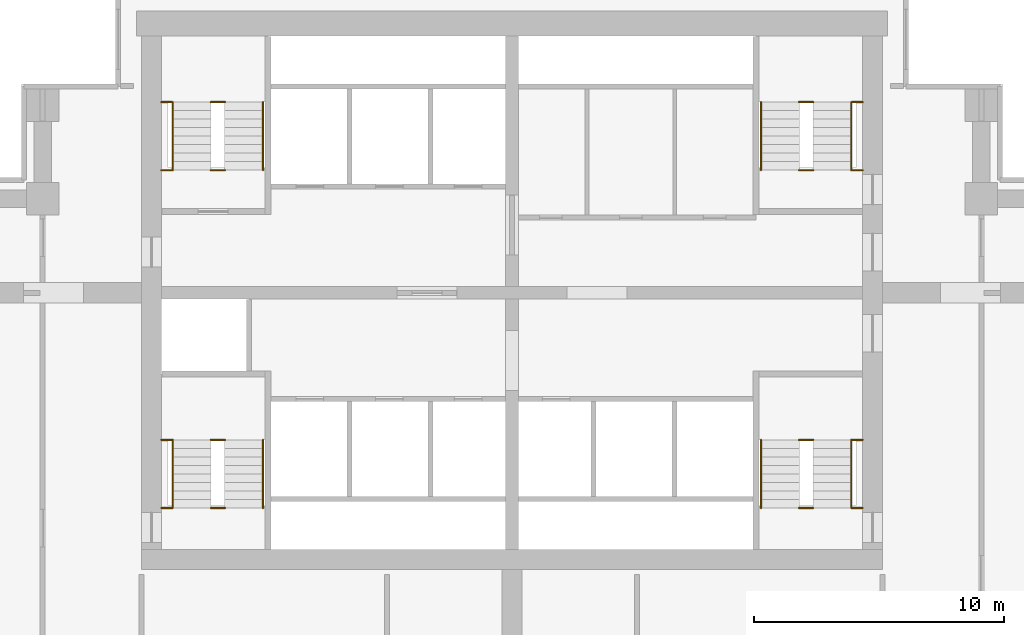
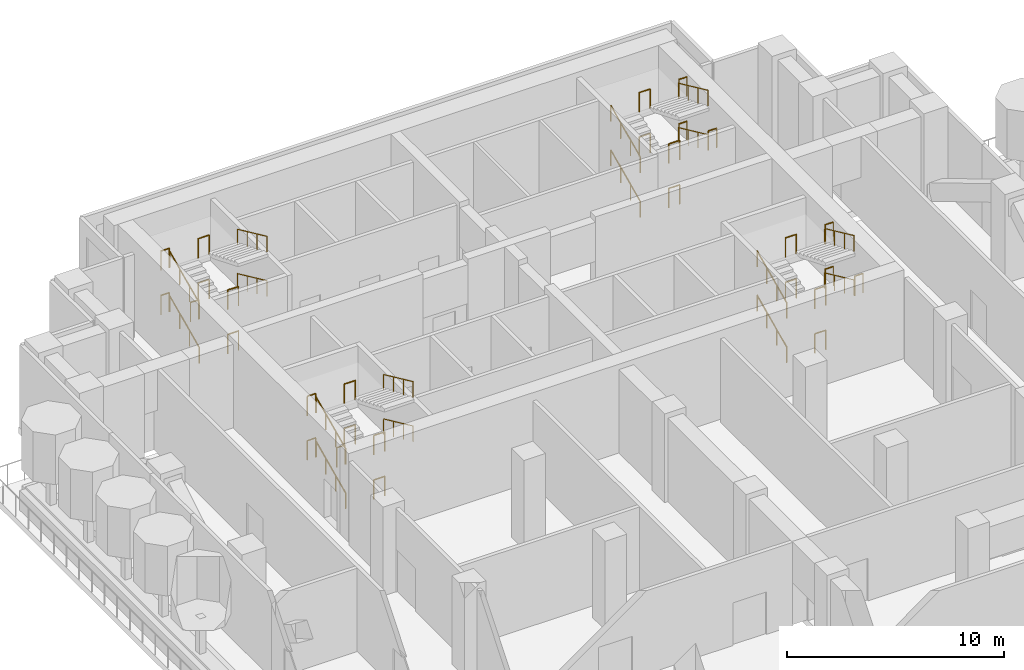
# One storey, part 8 of 9: 44 railings.
"""IFC4 building model written with IfcOpenShell, lengths in metres."""

from ifc_helpers import new_model, si_unit, direction, frame, origin, origin_2d, place, context, subcontext, project, spatial, circle, extrude, material, type_object, element, save


model = new_model("IFC4")

# Units and contexts
model_context = context("Model", 3, precision=1e-05, world=origin(), true_north=direction((0.0, 1.0)))
body_context = subcontext(model_context, "Body", "Model", "MODEL_VIEW")
ifc_project = project(units=[si_unit("LENGTHUNIT", "METRE"), si_unit("AREAUNIT", "SQUARE_METRE"), si_unit("VOLUMEUNIT", "CUBIC_METRE"), si_unit("PLANEANGLEUNIT", "RADIAN"), si_unit("MASSUNIT", "GRAM", prefix="KILO")], contexts=[model_context])

# Site, building, storey
site_placement = place(None, origin())
site = spatial("IfcSite", under=ifc_project, at=site_placement, CompositionType="ELEMENT")
building_placement = place(site_placement, origin())
building = spatial("IfcBuilding", under=site, at=building_placement, Name="Pilkhan Gate Tower", CompositionType="ELEMENT")
storey_placement = place(building_placement, frame((0.0, 0.0, 102.199951171875)))
storey = spatial("IfcBuildingStorey", under=building, at=storey_placement, Name="L25", CompositionType="ELEMENT", Elevation=102.199951171875)

# Railings
ifc_material_1 = material(Name="Black powder-coated steel tube", Category="steel")
railing_type_1 = type_object("IfcRailingType", Name="Stair handrail HR1", PredefinedType="HANDRAIL", material=ifc_material_1)
railing_1_placement = place(storey_placement, frame((84.949951171875, 73.89990234375, 0.0)))
element("IfcRailing", 1, at=railing_1_placement, inside=storey, type_object=railing_type_1, Name="Stair ST1 handrail L25", PredefinedType="HANDRAIL", context=body_context, shape_type="SweptSolid", body=[
    extrude(circle(Radius=0.02392578125, at=origin_2d()), frame((0.0, 0.0, 0.8759765625), z_axis=(0.0, 0.908655102025, 0.417547488994), x_axis=(-1.0, 0.0, 0.0)), (0.0, 0.0, 1.0), 2.99365234375),
    extrude(circle(Radius=0.02099609375, at=origin_2d()), origin(), (0.0, 0.0, 1.0), 0.851806640625),
    extrude(circle(Radius=0.02099609375, at=origin_2d()), frame((0.0, 0.90673828125, 0.416748046875)), (0.0, 0.0, 1.0), 0.851806640625),
    extrude(circle(Radius=0.02099609375, at=origin_2d()), frame((0.0, 1.8134765625, 0.833251953125)), (0.0, 0.0, 1.0), 0.851806640625),
    extrude(circle(Radius=0.02099609375, at=origin_2d()), frame((0.0, 2.72021484375, 1.25)), (0.0, 0.0, 1.0), 0.851806640625),
])
railing_2_placement = place(storey_placement, frame((88.550048828125, 76.6201171875, 1.25)))
element("IfcRailing", 2, at=railing_2_placement, inside=storey, type_object=railing_type_1, Name="Stair ST1 handrail L25", PredefinedType="HANDRAIL", context=body_context, shape_type="SweptSolid", body=[
    extrude(circle(Radius=0.02392578125, at=origin_2d()), frame((0.0, 0.0, 0.8759765625), z_axis=(0.0, -0.908655102025, 0.417547488994), x_axis=(1.0, 0.0, 0.0)), (0.0, 0.0, 1.0), 2.99365234375),
    extrude(circle(Radius=0.02099609375, at=origin_2d()), origin(), (0.0, 0.0, 1.0), 0.851806640625),
    extrude(circle(Radius=0.02099609375, at=origin_2d()), frame((0.0, -0.90673828125, 0.416748046875)), (0.0, 0.0, 1.0), 0.851806640625),
    extrude(circle(Radius=0.02099609375, at=origin_2d()), frame((0.0, -1.8134765625, 0.833251953125)), (0.0, 0.0, 1.0), 0.851806640625),
    extrude(circle(Radius=0.02099609375, at=origin_2d()), frame((0.0, -2.72021484375, 1.25)), (0.0, 0.0, 1.0), 0.851806640625),
])
railing_3_placement = place(storey_placement, frame((84.949951171875, 73.89990234375, 2.5)))
element("IfcRailing", 3, at=railing_3_placement, inside=storey, type_object=railing_type_1, Name="Stair ST1 handrail L25", PredefinedType="HANDRAIL", context=body_context, shape_type="SweptSolid", body=[
    extrude(circle(Radius=0.02392578125, at=origin_2d()), frame((0.0, 0.0, 0.8759765625), z_axis=(0.0, 0.908655102025, 0.417547488994), x_axis=(-1.0, 0.0, 0.0)), (0.0, 0.0, 1.0), 2.99365234375),
    extrude(circle(Radius=0.02099609375, at=origin_2d()), origin(), (0.0, 0.0, 1.0), 0.851806640625),
    extrude(circle(Radius=0.02099609375, at=origin_2d()), frame((0.0, 0.90673828125, 0.416748046875)), (0.0, 0.0, 1.0), 0.851806640625),
    extrude(circle(Radius=0.02099609375, at=origin_2d()), frame((0.0, 1.8134765625, 0.833251953125)), (0.0, 0.0, 1.0), 0.851806640625),
    extrude(circle(Radius=0.02099609375, at=origin_2d()), frame((0.0, 2.72021484375, 1.25)), (0.0, 0.0, 1.0), 0.851806640625),
])
railing_4_placement = place(storey_placement, frame((88.550048828125, 76.6201171875, 3.75)))
element("IfcRailing", 4, at=railing_4_placement, inside=storey, type_object=railing_type_1, Name="Stair ST1 handrail L25", PredefinedType="HANDRAIL", context=body_context, shape_type="SweptSolid", body=[
    extrude(circle(Radius=0.02392578125, at=origin_2d()), frame((0.0, 0.0, 0.8759765625), z_axis=(0.0, -0.908655102025, 0.417547488994), x_axis=(1.0, 0.0, 0.0)), (0.0, 0.0, 1.0), 2.99365234375),
    extrude(circle(Radius=0.02099609375, at=origin_2d()), origin(), (0.0, 0.0, 1.0), 0.851806640625),
    extrude(circle(Radius=0.02099609375, at=origin_2d()), frame((0.0, -0.90673828125, 0.416748046875)), (0.0, 0.0, 1.0), 0.851806640625),
    extrude(circle(Radius=0.02099609375, at=origin_2d()), frame((0.0, -1.8134765625, 0.833251953125)), (0.0, 0.0, 1.0), 0.851806640625),
    extrude(circle(Radius=0.02099609375, at=origin_2d()), frame((0.0, -2.72021484375, 1.25)), (0.0, 0.0, 1.0), 0.851806640625),
])
railing_5_placement = place(storey_placement, frame((61.449951171875, 73.89990234375, 0.0)))
element("IfcRailing", 5, at=railing_5_placement, inside=storey, type_object=railing_type_1, Name="Stair ST2 handrail L25", PredefinedType="HANDRAIL", context=body_context, shape_type="SweptSolid", body=[
    extrude(circle(Radius=0.02392578125, at=origin_2d()), frame((0.0, 0.0, 0.8759765625), z_axis=(0.0, 0.908655102025, 0.417547488994), x_axis=(-1.0, 0.0, 0.0)), (0.0, 0.0, 1.0), 2.99365234375),
    extrude(circle(Radius=0.02099609375, at=origin_2d()), origin(), (0.0, 0.0, 1.0), 0.851806640625),
    extrude(circle(Radius=0.02099609375, at=origin_2d()), frame((0.0, 0.90673828125, 0.416748046875)), (0.0, 0.0, 1.0), 0.851806640625),
    extrude(circle(Radius=0.02099609375, at=origin_2d()), frame((0.0, 1.8134765625, 0.833251953125)), (0.0, 0.0, 1.0), 0.851806640625),
    extrude(circle(Radius=0.02099609375, at=origin_2d()), frame((0.0, 2.72021484375, 1.25)), (0.0, 0.0, 1.0), 0.851806640625),
])
railing_6_placement = place(storey_placement, frame((65.050048828125, 76.6201171875, 1.25)))
element("IfcRailing", 6, at=railing_6_placement, inside=storey, type_object=railing_type_1, Name="Stair ST2 handrail L25", PredefinedType="HANDRAIL", context=body_context, shape_type="SweptSolid", body=[
    extrude(circle(Radius=0.02392578125, at=origin_2d()), frame((0.0, 0.0, 0.8759765625), z_axis=(0.0, -0.908655102025, 0.417547488994), x_axis=(1.0, 0.0, 0.0)), (0.0, 0.0, 1.0), 2.99365234375),
    extrude(circle(Radius=0.02099609375, at=origin_2d()), origin(), (0.0, 0.0, 1.0), 0.851806640625),
    extrude(circle(Radius=0.02099609375, at=origin_2d()), frame((0.0, -0.90673828125, 0.416748046875)), (0.0, 0.0, 1.0), 0.851806640625),
    extrude(circle(Radius=0.02099609375, at=origin_2d()), frame((0.0, -1.8134765625, 0.833251953125)), (0.0, 0.0, 1.0), 0.851806640625),
    extrude(circle(Radius=0.02099609375, at=origin_2d()), frame((0.0, -2.72021484375, 1.25)), (0.0, 0.0, 1.0), 0.851806640625),
])
railing_7_placement = place(storey_placement, frame((61.449951171875, 73.89990234375, 2.5)))
element("IfcRailing", 7, at=railing_7_placement, inside=storey, type_object=railing_type_1, Name="Stair ST2 handrail L25", PredefinedType="HANDRAIL", context=body_context, shape_type="SweptSolid", body=[
    extrude(circle(Radius=0.02392578125, at=origin_2d()), frame((0.0, 0.0, 0.8759765625), z_axis=(0.0, 0.908655102025, 0.417547488994), x_axis=(-1.0, 0.0, 0.0)), (0.0, 0.0, 1.0), 2.99365234375),
    extrude(circle(Radius=0.02099609375, at=origin_2d()), origin(), (0.0, 0.0, 1.0), 0.851806640625),
    extrude(circle(Radius=0.02099609375, at=origin_2d()), frame((0.0, 0.90673828125, 0.416748046875)), (0.0, 0.0, 1.0), 0.851806640625),
    extrude(circle(Radius=0.02099609375, at=origin_2d()), frame((0.0, 1.8134765625, 0.833251953125)), (0.0, 0.0, 1.0), 0.851806640625),
    extrude(circle(Radius=0.02099609375, at=origin_2d()), frame((0.0, 2.72021484375, 1.25)), (0.0, 0.0, 1.0), 0.851806640625),
])
railing_8_placement = place(storey_placement, frame((65.050048828125, 76.6201171875, 3.75)))
element("IfcRailing", 8, at=railing_8_placement, inside=storey, type_object=railing_type_1, Name="Stair ST2 handrail L25", PredefinedType="HANDRAIL", context=body_context, shape_type="SweptSolid", body=[
    extrude(circle(Radius=0.02392578125, at=origin_2d()), frame((0.0, 0.0, 0.8759765625), z_axis=(0.0, -0.908655102025, 0.417547488994), x_axis=(1.0, 0.0, 0.0)), (0.0, 0.0, 1.0), 2.99365234375),
    extrude(circle(Radius=0.02099609375, at=origin_2d()), origin(), (0.0, 0.0, 1.0), 0.851806640625),
    extrude(circle(Radius=0.02099609375, at=origin_2d()), frame((0.0, -0.90673828125, 0.416748046875)), (0.0, 0.0, 1.0), 0.851806640625),
    extrude(circle(Radius=0.02099609375, at=origin_2d()), frame((0.0, -1.8134765625, 0.833251953125)), (0.0, 0.0, 1.0), 0.851806640625),
    extrude(circle(Radius=0.02099609375, at=origin_2d()), frame((0.0, -2.72021484375, 1.25)), (0.0, 0.0, 1.0), 0.851806640625),
])
railing_9_placement = place(storey_placement, frame((61.449951171875, 87.39990234375, 0.0)))
element("IfcRailing", 9, at=railing_9_placement, inside=storey, type_object=railing_type_1, Name="Stair ST3 handrail L25", PredefinedType="HANDRAIL", context=body_context, shape_type="SweptSolid", body=[
    extrude(circle(Radius=0.02392578125, at=origin_2d()), frame((0.0, 0.0, 0.8759765625), z_axis=(0.0, 0.908655102025, 0.417547488994), x_axis=(-1.0, 0.0, 0.0)), (0.0, 0.0, 1.0), 2.99365234375),
    extrude(circle(Radius=0.02099609375, at=origin_2d()), origin(), (0.0, 0.0, 1.0), 0.851806640625),
    extrude(circle(Radius=0.02099609375, at=origin_2d()), frame((0.0, 0.90673828125, 0.416748046875)), (0.0, 0.0, 1.0), 0.851806640625),
    extrude(circle(Radius=0.02099609375, at=origin_2d()), frame((0.0, 1.8134765625, 0.833251953125)), (0.0, 0.0, 1.0), 0.851806640625),
    extrude(circle(Radius=0.02099609375, at=origin_2d()), frame((0.0, 2.72021484375, 1.25)), (0.0, 0.0, 1.0), 0.851806640625),
])
railing_10_placement = place(storey_placement, frame((65.050048828125, 90.1201171875, 1.25)))
element("IfcRailing", 10, at=railing_10_placement, inside=storey, type_object=railing_type_1, Name="Stair ST3 handrail L25", PredefinedType="HANDRAIL", context=body_context, shape_type="SweptSolid", body=[
    extrude(circle(Radius=0.02392578125, at=origin_2d()), frame((0.0, 0.0, 0.8759765625), z_axis=(0.0, -0.908655102025, 0.417547488994), x_axis=(1.0, 0.0, 0.0)), (0.0, 0.0, 1.0), 2.99365234375),
    extrude(circle(Radius=0.02099609375, at=origin_2d()), origin(), (0.0, 0.0, 1.0), 0.851806640625),
    extrude(circle(Radius=0.02099609375, at=origin_2d()), frame((0.0, -0.90673828125, 0.416748046875)), (0.0, 0.0, 1.0), 0.851806640625),
    extrude(circle(Radius=0.02099609375, at=origin_2d()), frame((0.0, -1.8134765625, 0.833251953125)), (0.0, 0.0, 1.0), 0.851806640625),
    extrude(circle(Radius=0.02099609375, at=origin_2d()), frame((0.0, -2.72021484375, 1.25)), (0.0, 0.0, 1.0), 0.851806640625),
])
railing_11_placement = place(storey_placement, frame((61.449951171875, 87.39990234375, 2.5)))
element("IfcRailing", 11, at=railing_11_placement, inside=storey, type_object=railing_type_1, Name="Stair ST3 handrail L25", PredefinedType="HANDRAIL", context=body_context, shape_type="SweptSolid", body=[
    extrude(circle(Radius=0.02392578125, at=origin_2d()), frame((0.0, 0.0, 0.8759765625), z_axis=(0.0, 0.908655102025, 0.417547488994), x_axis=(-1.0, 0.0, 0.0)), (0.0, 0.0, 1.0), 2.99365234375),
    extrude(circle(Radius=0.02099609375, at=origin_2d()), origin(), (0.0, 0.0, 1.0), 0.851806640625),
    extrude(circle(Radius=0.02099609375, at=origin_2d()), frame((0.0, 0.90673828125, 0.416748046875)), (0.0, 0.0, 1.0), 0.851806640625),
    extrude(circle(Radius=0.02099609375, at=origin_2d()), frame((0.0, 1.8134765625, 0.833251953125)), (0.0, 0.0, 1.0), 0.851806640625),
    extrude(circle(Radius=0.02099609375, at=origin_2d()), frame((0.0, 2.72021484375, 1.25)), (0.0, 0.0, 1.0), 0.851806640625),
])
railing_12_placement = place(storey_placement, frame((65.050048828125, 90.1201171875, 3.75)))
element("IfcRailing", 12, at=railing_12_placement, inside=storey, type_object=railing_type_1, Name="Stair ST3 handrail L25", PredefinedType="HANDRAIL", context=body_context, shape_type="SweptSolid", body=[
    extrude(circle(Radius=0.02392578125, at=origin_2d()), frame((0.0, 0.0, 0.8759765625), z_axis=(0.0, -0.908655102025, 0.417547488994), x_axis=(1.0, 0.0, 0.0)), (0.0, 0.0, 1.0), 2.99365234375),
    extrude(circle(Radius=0.02099609375, at=origin_2d()), origin(), (0.0, 0.0, 1.0), 0.851806640625),
    extrude(circle(Radius=0.02099609375, at=origin_2d()), frame((0.0, -0.90673828125, 0.416748046875)), (0.0, 0.0, 1.0), 0.851806640625),
    extrude(circle(Radius=0.02099609375, at=origin_2d()), frame((0.0, -1.8134765625, 0.833251953125)), (0.0, 0.0, 1.0), 0.851806640625),
    extrude(circle(Radius=0.02099609375, at=origin_2d()), frame((0.0, -2.72021484375, 1.25)), (0.0, 0.0, 1.0), 0.851806640625),
])
railing_13_placement = place(storey_placement, frame((84.949951171875, 87.39990234375, 0.0)))
element("IfcRailing", 13, at=railing_13_placement, inside=storey, type_object=railing_type_1, Name="Stair ST4 handrail L25", PredefinedType="HANDRAIL", context=body_context, shape_type="SweptSolid", body=[
    extrude(circle(Radius=0.02392578125, at=origin_2d()), frame((0.0, 0.0, 0.8759765625), z_axis=(0.0, 0.908655102025, 0.417547488994), x_axis=(-1.0, 0.0, 0.0)), (0.0, 0.0, 1.0), 2.99365234375),
    extrude(circle(Radius=0.02099609375, at=origin_2d()), origin(), (0.0, 0.0, 1.0), 0.851806640625),
    extrude(circle(Radius=0.02099609375, at=origin_2d()), frame((0.0, 0.90673828125, 0.416748046875)), (0.0, 0.0, 1.0), 0.851806640625),
    extrude(circle(Radius=0.02099609375, at=origin_2d()), frame((0.0, 1.8134765625, 0.833251953125)), (0.0, 0.0, 1.0), 0.851806640625),
    extrude(circle(Radius=0.02099609375, at=origin_2d()), frame((0.0, 2.72021484375, 1.25)), (0.0, 0.0, 1.0), 0.851806640625),
])
railing_14_placement = place(storey_placement, frame((88.550048828125, 90.1201171875, 1.25)))
element("IfcRailing", 14, at=railing_14_placement, inside=storey, type_object=railing_type_1, Name="Stair ST4 handrail L25", PredefinedType="HANDRAIL", context=body_context, shape_type="SweptSolid", body=[
    extrude(circle(Radius=0.02392578125, at=origin_2d()), frame((0.0, 0.0, 0.8759765625), z_axis=(0.0, -0.908655102025, 0.417547488994), x_axis=(1.0, 0.0, 0.0)), (0.0, 0.0, 1.0), 2.99365234375),
    extrude(circle(Radius=0.02099609375, at=origin_2d()), origin(), (0.0, 0.0, 1.0), 0.851806640625),
    extrude(circle(Radius=0.02099609375, at=origin_2d()), frame((0.0, -0.90673828125, 0.416748046875)), (0.0, 0.0, 1.0), 0.851806640625),
    extrude(circle(Radius=0.02099609375, at=origin_2d()), frame((0.0, -1.8134765625, 0.833251953125)), (0.0, 0.0, 1.0), 0.851806640625),
    extrude(circle(Radius=0.02099609375, at=origin_2d()), frame((0.0, -2.72021484375, 1.25)), (0.0, 0.0, 1.0), 0.851806640625),
])
railing_15_placement = place(storey_placement, frame((84.949951171875, 87.39990234375, 2.5)))
element("IfcRailing", 15, at=railing_15_placement, inside=storey, type_object=railing_type_1, Name="Stair ST4 handrail L25", PredefinedType="HANDRAIL", context=body_context, shape_type="SweptSolid", body=[
    extrude(circle(Radius=0.02392578125, at=origin_2d()), frame((0.0, 0.0, 0.8759765625), z_axis=(0.0, 0.908655102025, 0.417547488994), x_axis=(-1.0, 0.0, 0.0)), (0.0, 0.0, 1.0), 2.99365234375),
    extrude(circle(Radius=0.02099609375, at=origin_2d()), origin(), (0.0, 0.0, 1.0), 0.851806640625),
    extrude(circle(Radius=0.02099609375, at=origin_2d()), frame((0.0, 0.90673828125, 0.416748046875)), (0.0, 0.0, 1.0), 0.851806640625),
    extrude(circle(Radius=0.02099609375, at=origin_2d()), frame((0.0, 1.8134765625, 0.833251953125)), (0.0, 0.0, 1.0), 0.851806640625),
    extrude(circle(Radius=0.02099609375, at=origin_2d()), frame((0.0, 2.72021484375, 1.25)), (0.0, 0.0, 1.0), 0.851806640625),
])
railing_16_placement = place(storey_placement, frame((88.550048828125, 90.1201171875, 3.75)))
element("IfcRailing", 16, at=railing_16_placement, inside=storey, type_object=railing_type_1, Name="Stair ST4 handrail L25", PredefinedType="HANDRAIL", context=body_context, shape_type="SweptSolid", body=[
    extrude(circle(Radius=0.02392578125, at=origin_2d()), frame((0.0, 0.0, 0.8759765625), z_axis=(0.0, -0.908655102025, 0.417547488994), x_axis=(1.0, 0.0, 0.0)), (0.0, 0.0, 1.0), 2.99365234375),
    extrude(circle(Radius=0.02099609375, at=origin_2d()), origin(), (0.0, 0.0, 1.0), 0.851806640625),
    extrude(circle(Radius=0.02099609375, at=origin_2d()), frame((0.0, -0.90673828125, 0.416748046875)), (0.0, 0.0, 1.0), 0.851806640625),
    extrude(circle(Radius=0.02099609375, at=origin_2d()), frame((0.0, -1.8134765625, 0.833251953125)), (0.0, 0.0, 1.0), 0.851806640625),
    extrude(circle(Radius=0.02099609375, at=origin_2d()), frame((0.0, -2.72021484375, 1.25)), (0.0, 0.0, 1.0), 0.851806640625),
])
ifc_material_2 = material(Name="Black powder-coated steel balusters", Category="steel")
railing_type_2 = type_object("IfcRailingType", Name="Stair well guard G3", PredefinedType="GUARDRAIL", material=ifc_material_2)
for number, where, name in (
    (17, (88.580078125, 76.6201171875, 1.25), "Stair ST1 well guard L25"),
    (18, (88.580078125, 73.89990234375, 2.5), "Stair ST1 well guard L25"),
    (19, (88.580078125, 76.6201171875, 3.75), "Stair ST1 well guard L25"),
):
    element("IfcRailing", number, at=place(storey_placement, frame(where)), inside=storey, type_object=railing_type_2, Name=name, PredefinedType="GUARDRAIL", context=body_context, shape_type="SweptSolid", body=[
        extrude(circle(Radius=0.02392578125, at=origin_2d()), frame((0.0, 0.0, 1.076171875), z_axis=(1.0, 0.0, 0.0), x_axis=(0.0, 1.0, 0.0)), (0.0, 0.0, 1.0), 0.43994140625),
        extrude(circle(Radius=0.02099609375, at=origin_2d()), origin(), (0.0, 0.0, 1.0), 1.052001953125),
        extrude(circle(Radius=0.02099609375, at=origin_2d()), frame((0.43994140625, 0.0, 0.0)), (0.0, 0.0, 1.0), 1.052001953125),
    ])
for number, where, name in (
    (20, (86.4599609375, 73.89990234375, 0.0), "Stair ST1 well guard L25"),
    (21, (86.4599609375, 76.6201171875, 1.25), "Stair ST1 well guard L25"),
    (22, (86.4599609375, 73.89990234375, 2.5), "Stair ST1 well guard L25"),
    (23, (86.4599609375, 76.6201171875, 3.75), "Stair ST1 well guard L25"),
):
    element("IfcRailing", number, at=place(storey_placement, frame(where)), inside=storey, type_object=railing_type_2, Name=name, PredefinedType="GUARDRAIL", context=body_context, shape_type="SweptSolid", body=[
        extrude(circle(Radius=0.02392578125, at=origin_2d()), frame((0.0, 0.0, 1.076171875), z_axis=(1.0, 0.0, 0.0), x_axis=(0.0, 1.0, 0.0)), (0.0, 0.0, 1.0), 0.580078125),
        extrude(circle(Radius=0.02099609375, at=origin_2d()), origin(), (0.0, 0.0, 1.0), 1.052001953125),
        extrude(circle(Radius=0.02099609375, at=origin_2d()), frame((0.580078125, 0.0, 0.0)), (0.0, 0.0, 1.0), 1.052001953125),
    ])
for number, where, name in (
    (24, (60.97998046875, 76.6201171875, 1.25), "Stair ST2 well guard L25"),
    (25, (60.97998046875, 73.89990234375, 2.5), "Stair ST2 well guard L25"),
    (26, (60.97998046875, 76.6201171875, 3.75), "Stair ST2 well guard L25"),
):
    element("IfcRailing", number, at=place(storey_placement, frame(where)), inside=storey, type_object=railing_type_2, Name=name, PredefinedType="GUARDRAIL", context=body_context, shape_type="SweptSolid", body=[
        extrude(circle(Radius=0.02392578125, at=origin_2d()), frame((0.0, 0.0, 1.076171875), z_axis=(1.0, 0.0, 0.0), x_axis=(0.0, 1.0, 0.0)), (0.0, 0.0, 1.0), 0.43994140625),
        extrude(circle(Radius=0.02099609375, at=origin_2d()), origin(), (0.0, 0.0, 1.0), 1.052001953125),
        extrude(circle(Radius=0.02099609375, at=origin_2d()), frame((0.43994140625, 0.0, 0.0)), (0.0, 0.0, 1.0), 1.052001953125),
    ])
for number, where, name in (
    (27, (62.9599609375, 73.89990234375, 0.0), "Stair ST2 well guard L25"),
    (28, (62.9599609375, 76.6201171875, 1.25), "Stair ST2 well guard L25"),
    (29, (62.9599609375, 73.89990234375, 2.5), "Stair ST2 well guard L25"),
    (30, (62.9599609375, 76.6201171875, 3.75), "Stair ST2 well guard L25"),
):
    element("IfcRailing", number, at=place(storey_placement, frame(where)), inside=storey, type_object=railing_type_2, Name=name, PredefinedType="GUARDRAIL", context=body_context, shape_type="SweptSolid", body=[
        extrude(circle(Radius=0.02392578125, at=origin_2d()), frame((0.0, 0.0, 1.076171875), z_axis=(1.0, 0.0, 0.0), x_axis=(0.0, 1.0, 0.0)), (0.0, 0.0, 1.0), 0.580078125),
        extrude(circle(Radius=0.02099609375, at=origin_2d()), origin(), (0.0, 0.0, 1.0), 1.052001953125),
        extrude(circle(Radius=0.02099609375, at=origin_2d()), frame((0.580078125, 0.0, 0.0)), (0.0, 0.0, 1.0), 1.052001953125),
    ])
for number, where, name in (
    (31, (60.97998046875, 90.1201171875, 1.25), "Stair ST3 well guard L25"),
    (32, (60.97998046875, 87.39990234375, 2.5), "Stair ST3 well guard L25"),
    (33, (60.97998046875, 90.1201171875, 3.75), "Stair ST3 well guard L25"),
):
    element("IfcRailing", number, at=place(storey_placement, frame(where)), inside=storey, type_object=railing_type_2, Name=name, PredefinedType="GUARDRAIL", context=body_context, shape_type="SweptSolid", body=[
        extrude(circle(Radius=0.02392578125, at=origin_2d()), frame((0.0, 0.0, 1.076171875), z_axis=(1.0, 0.0, 0.0), x_axis=(0.0, 1.0, 0.0)), (0.0, 0.0, 1.0), 0.43994140625),
        extrude(circle(Radius=0.02099609375, at=origin_2d()), origin(), (0.0, 0.0, 1.0), 1.052001953125),
        extrude(circle(Radius=0.02099609375, at=origin_2d()), frame((0.43994140625, 0.0, 0.0)), (0.0, 0.0, 1.0), 1.052001953125),
    ])
for number, where, name in (
    (34, (62.9599609375, 87.39990234375, 0.0), "Stair ST3 well guard L25"),
    (35, (62.9599609375, 90.1201171875, 1.25), "Stair ST3 well guard L25"),
    (36, (62.9599609375, 87.39990234375, 2.5), "Stair ST3 well guard L25"),
    (37, (62.9599609375, 90.1201171875, 3.75), "Stair ST3 well guard L25"),
):
    element("IfcRailing", number, at=place(storey_placement, frame(where)), inside=storey, type_object=railing_type_2, Name=name, PredefinedType="GUARDRAIL", context=body_context, shape_type="SweptSolid", body=[
        extrude(circle(Radius=0.02392578125, at=origin_2d()), frame((0.0, 0.0, 1.076171875), z_axis=(1.0, 0.0, 0.0), x_axis=(0.0, 1.0, 0.0)), (0.0, 0.0, 1.0), 0.580078125),
        extrude(circle(Radius=0.02099609375, at=origin_2d()), origin(), (0.0, 0.0, 1.0), 1.052001953125),
        extrude(circle(Radius=0.02099609375, at=origin_2d()), frame((0.580078125, 0.0, 0.0)), (0.0, 0.0, 1.0), 1.052001953125),
    ])
for number, where, name in (
    (38, (88.580078125, 90.1201171875, 1.25), "Stair ST4 well guard L25"),
    (39, (88.580078125, 87.39990234375, 2.5), "Stair ST4 well guard L25"),
    (40, (88.580078125, 90.1201171875, 3.75), "Stair ST4 well guard L25"),
):
    element("IfcRailing", number, at=place(storey_placement, frame(where)), inside=storey, type_object=railing_type_2, Name=name, PredefinedType="GUARDRAIL", context=body_context, shape_type="SweptSolid", body=[
        extrude(circle(Radius=0.02392578125, at=origin_2d()), frame((0.0, 0.0, 1.076171875), z_axis=(1.0, 0.0, 0.0), x_axis=(0.0, 1.0, 0.0)), (0.0, 0.0, 1.0), 0.43994140625),
        extrude(circle(Radius=0.02099609375, at=origin_2d()), origin(), (0.0, 0.0, 1.0), 1.052001953125),
        extrude(circle(Radius=0.02099609375, at=origin_2d()), frame((0.43994140625, 0.0, 0.0)), (0.0, 0.0, 1.0), 1.052001953125),
    ])
for number, where, name in (
    (41, (86.4599609375, 87.39990234375, 0.0), "Stair ST4 well guard L25"),
    (42, (86.4599609375, 90.1201171875, 1.25), "Stair ST4 well guard L25"),
    (43, (86.4599609375, 87.39990234375, 2.5), "Stair ST4 well guard L25"),
    (44, (86.4599609375, 90.1201171875, 3.75), "Stair ST4 well guard L25"),
):
    element("IfcRailing", number, at=place(storey_placement, frame(where)), inside=storey, type_object=railing_type_2, Name=name, PredefinedType="GUARDRAIL", context=body_context, shape_type="SweptSolid", body=[
        extrude(circle(Radius=0.02392578125, at=origin_2d()), frame((0.0, 0.0, 1.076171875), z_axis=(1.0, 0.0, 0.0), x_axis=(0.0, 1.0, 0.0)), (0.0, 0.0, 1.0), 0.580078125),
        extrude(circle(Radius=0.02099609375, at=origin_2d()), origin(), (0.0, 0.0, 1.0), 1.052001953125),
        extrude(circle(Radius=0.02099609375, at=origin_2d()), frame((0.580078125, 0.0, 0.0)), (0.0, 0.0, 1.0), 1.052001953125),
    ])

save(model, "model.ifc")
